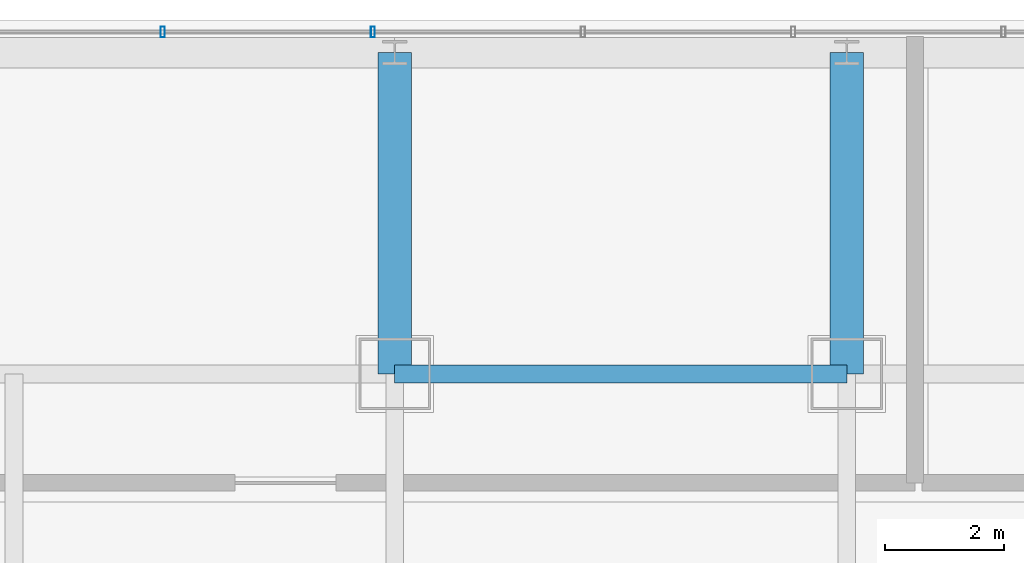
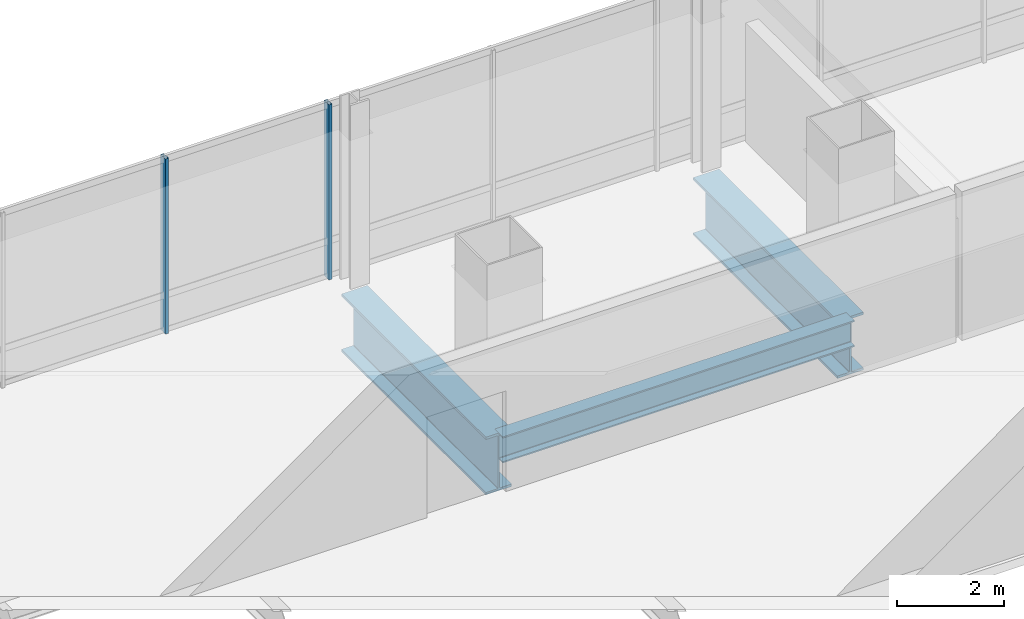
# One storey, part 25 of 42: 3 beams, 2 members, 1 element without a shape of its own.
"""IFC4 building model written with IfcOpenShell, lengths in metres."""

from ifc_helpers import new_model, si_unit, direction, frame, origin, origin_2d, place, context, subcontext, project, spatial, hollow_rectangle, i_section, extrude, material, material_profile, profile_set, type_object, element, aggregate, save


model = new_model("IFC4")

# Units and contexts
model_context = context("Model", 3, precision=1e-05, world=origin(), true_north=direction((0.0, 1.0)))
body_context = subcontext(model_context, "Body", "Model", "MODEL_VIEW")
ifc_project = project(units=[si_unit("LENGTHUNIT", "METRE"), si_unit("AREAUNIT", "SQUARE_METRE"), si_unit("VOLUMEUNIT", "CUBIC_METRE"), si_unit("PLANEANGLEUNIT", "RADIAN"), si_unit("MASSUNIT", "GRAM", prefix="KILO")], contexts=[model_context])

# Site, building, storey
site_placement = place(None, origin())
site = spatial("IfcSite", under=ifc_project, at=site_placement, CompositionType="ELEMENT")
building_placement = place(site_placement, origin())
building = spatial("IfcBuilding", under=site, at=building_placement, Name="Punatoya Terracotta Tower", CompositionType="ELEMENT")
storey_placement = place(building_placement, frame((0.0, 0.0, 304.800048828125)))
storey = spatial("IfcBuildingStorey", under=building, at=storey_placement, Name="L72", CompositionType="ELEMENT", Elevation=304.800048828125)

# Beams
ifc_material_1 = material(Name="Steel S355", Category="steel")
ifc_material_profile_1 = material_profile(ifc_material_1, i_section(OverallWidth=0.300048828125, OverallDepth=0.60009765625, WebThickness=0.015380859375, FlangeThickness=0.030029296875, FilletRadius=0.01806640625, at=origin_2d()))
ifc_profile_set_1 = profile_set([ifc_material_profile_1], Name="Steel S355")
beam_type_1 = type_object("IfcBeamType", Name="BM-PRI-600", PredefinedType="BEAM", material=ifc_profile_set_1)
beam_placement = place(storey_placement, frame((-3.800048828125, 17.5, -0.5), z_axis=(1.0, 0.0, 0.0), x_axis=(0.0, 1.0, 0.0)))
element("IfcBeam", 1, at=beam_placement, inside=storey, type_object=beam_type_1, Name="BM-L72-RG-N2", PredefinedType="BEAM", context=body_context, shape_type="SweptSolid", body=[
    extrude(i_section(OverallWidth=0.300048828125, OverallDepth=0.60009765625, WebThickness=0.015380859375, FlangeThickness=0.030029296875, FilletRadius=0.01806640625, at=origin_2d()), origin(), (0.0, 0.0, 1.0), 7.60009765625),
])
ifc_material_2 = material(Name="Steel S460", Category="steel")
ifc_material_profile_2 = material_profile(ifc_material_2, i_section(OverallWidth=0.56005859375, OverallDepth=1.320068359375, WebThickness=0.035888671875, FlangeThickness=0.054931640625, FilletRadius=0.01806640625, at=origin_2d()))
ifc_profile_set_2 = profile_set([ifc_material_profile_2], Name="Steel S460")
beam_type_2 = type_object("IfcBeamType", Name="BM-TG-BLK", PredefinedType="BEAM", material=ifc_profile_set_2)
for number, where, z_axis, x_axis, name in (
    (2, (-3.800048828125, 17.5, -0.860107421875), (0.0, 1.0, 0.0), (-1.0, 0.0, 0.0), "BM-L72-CANT-N2"),
    (3, (3.800048828125, 17.5, -0.860107421875), (0.0, 1.0, 0.0), (-1.0, 0.0, 0.0), "BM-L72-CANT-N3"),
):
    element("IfcBeam", number, at=place(storey_placement, frame(where, z_axis=z_axis, x_axis=x_axis)), inside=storey, type_object=beam_type_2, Name=name, PredefinedType="BEAM", context=body_context, shape_type="SweptSolid", body=[
        extrude(i_section(OverallWidth=0.56005859375, OverallDepth=1.320068359375, WebThickness=0.035888671875, FlangeThickness=0.054931640625, FilletRadius=0.01806640625, at=origin_2d()), origin(), (0.0, 0.0, 1.0), 5.39990234375),
    ])

# Curtain wall, members
ifc_material_3 = material(Name="Aluminium 6063-T6 + Double Low-E Glass", Category="aluminium")
curtain_wall_type = type_object("IfcCurtainWallType", Name="CW-M3", PredefinedType="NOTDEFINED", material=ifc_material_3)
curtain_wall_placement = place(storey_placement, origin())
curtain_wall = element("IfcCurtainWall", 4, at=curtain_wall_placement, inside=storey, type_object=curtain_wall_type, Name="L72 Curtain Wall CW-L72-N09-1", PredefinedType="NOTDEFINED")
ifc_material_4 = material(Name="Aluminium 6063-T6", Category="aluminium")
ifc_material_profile_3 = material_profile(ifc_material_4, hollow_rectangle(XDim=0.070068359375, YDim=0.179931640625, WallThickness=0.00390625, at=origin_2d()))
ifc_profile_set_3 = profile_set([ifc_material_profile_3], Name="Aluminium 6063-T6")
member_type = type_object("IfcMemberType", Name="CW-MUL-M3", PredefinedType="MULLION", material=ifc_profile_set_3)
member_1_placement = place(storey_placement, frame((-4.1669921875, 23.25, 0.0), z_axis=(0.0, 0.0, 1.0), x_axis=(1.0, 0.0, 0.0)))
member_1 = element("IfcMember", 5, at=member_1_placement, type_object=member_type, Name="CW-L72-N09-1 Mullion 06", PredefinedType="MULLION", context=body_context, shape_type="SweptSolid", body=[
    extrude(hollow_rectangle(XDim=0.070068359375, YDim=0.179931640625, WallThickness=0.00390625, at=origin_2d()), origin(), (0.0, 0.0, 1.0), 4.0),
])
member_2_placement = place(storey_placement, frame((-7.700927734375, 23.25, 0.0), z_axis=(0.0, 0.0, 1.0), x_axis=(1.0, 0.0, 0.0)))
member_2 = element("IfcMember", 6, at=member_2_placement, type_object=member_type, Name="CW-L72-N09-1 Mullion 07", PredefinedType="MULLION", context=body_context, shape_type="SweptSolid", body=[
    extrude(hollow_rectangle(XDim=0.070068359375, YDim=0.179931640625, WallThickness=0.00390625, at=origin_2d()), origin(), (0.0, 0.0, 1.0), 4.0),
])
aggregate(curtain_wall, [member_1, member_2])

save(model, "model.ifc")
